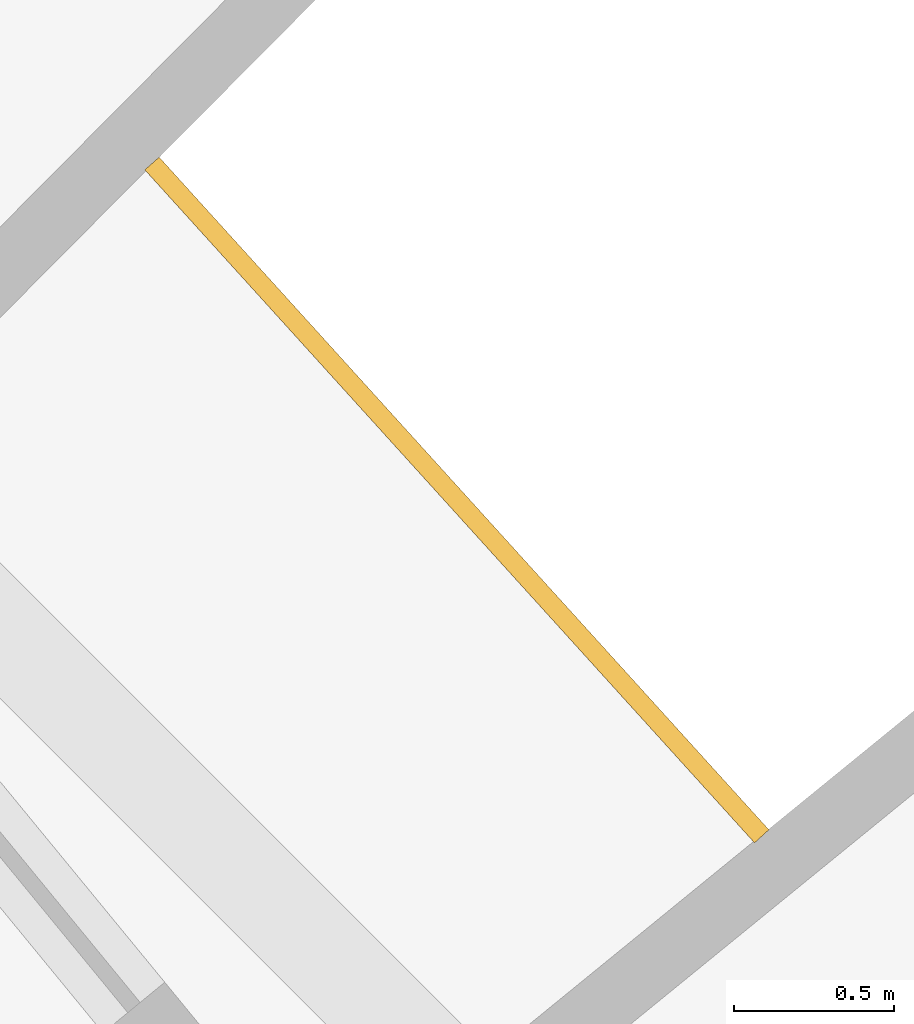
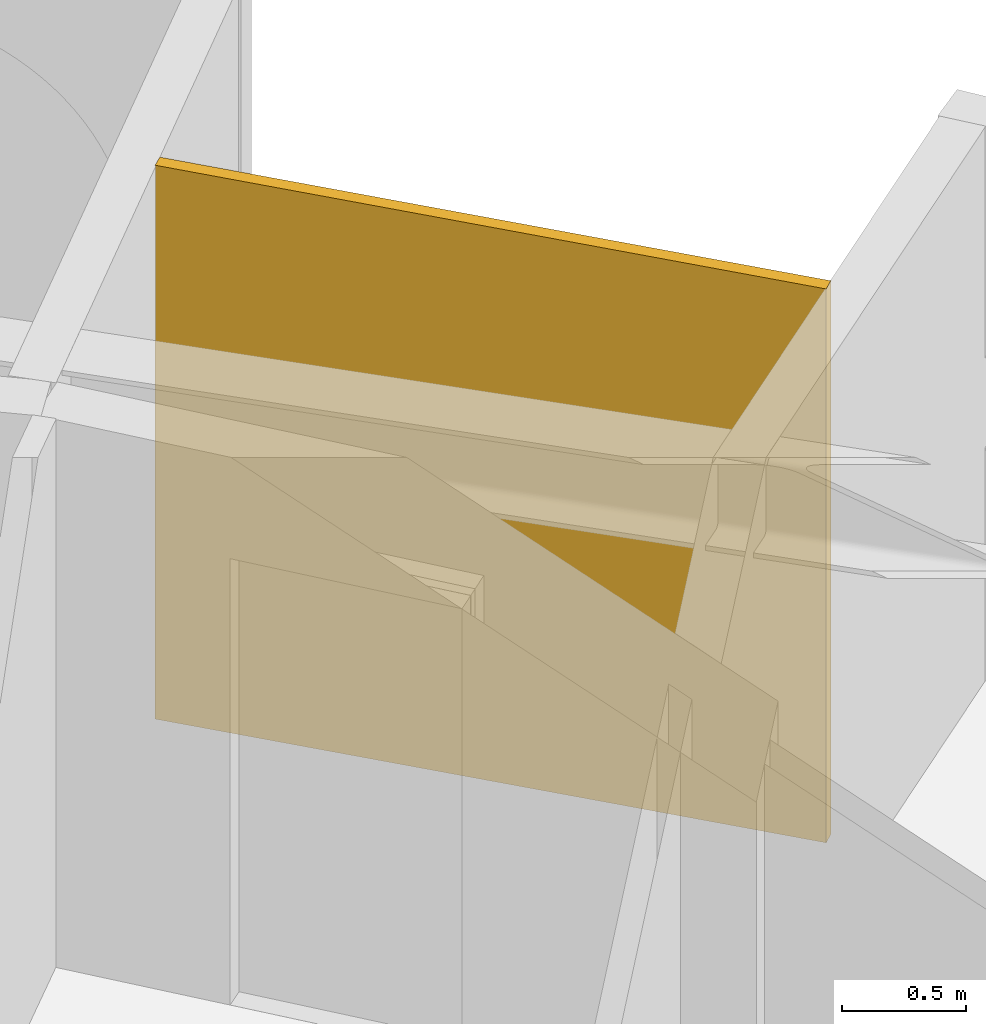
# One storey, part 27 of 27: 1 railing.
"""IFC4 building model written with IfcOpenShell, lengths in metres."""

import ifcopenshell
import ifcopenshell.guid

model = None  # the IFC model being written
_history = None  # IfcOwnerHistory: only IFC2X3 demands one
_inside = {}  # id of a spatial element -> (the spatial element, [elements in it])
_under = {}  # id of a project, library or spatial element -> (it, [spatial elements below it])
_declared = {}  # id of a project -> (the project, [libraries it declares])
_typed = {}  # id of a type object -> (the type object, [elements of that type])
_made_of = {}  # id of a material, layer set ... -> (it, [elements and type objects made of it])


def new_model(schema):
    """Start an empty IFC model of exactly this schema.

    Asked for "IFC4X3", IfcOpenShell would pick the latest addendum, in which some entities
    have other attributes; the version numbers below select the first issue.
    IFC2X3 requires an IfcOwnerHistory on every rooted entity: one is made here for all.
    """
    global model, _history
    if schema == "IFC4X3":
        model = ifcopenshell.file(schema_version=(4, 3, 0, 0))
    else:
        model = ifcopenshell.file(schema=schema)
    _inside.clear()
    _under.clear()
    _declared.clear()
    _typed.clear()
    _made_of.clear()
    _history = None
    if model.schema == "IFC2X3":
        org = make("IfcOrganization", Name="unknown")
        user = make(
            "IfcPersonAndOrganization",
            ThePerson=make("IfcPerson", FamilyName="unknown"),
            TheOrganization=org,
        )
        app = make(
            "IfcApplication",
            ApplicationDeveloper=org,
            Version="unknown",
            ApplicationFullName="unknown",
            ApplicationIdentifier="unknown",
        )
        _history = make(
            "IfcOwnerHistory",
            OwningUser=user,
            OwningApplication=app,
            ChangeAction="ADDED",
            CreationDate=0,
        )
    return model


def make(cls, **values):
    """One entity of the class cls with the attributes given. An attribute that is None is left unset."""
    return model.create_entity(
        cls, **{name: value for name, value in values.items() if value is not None}
    )


def rooted(cls, **values):
    """An entity with a GlobalId (a new one), such as an element, a storey or a relation."""
    return make(cls, GlobalId=ifcopenshell.guid.new(), OwnerHistory=_history, **values)


def si_unit(unit_type, name, prefix=None):
    """IfcSIUnit, for example si_unit("LENGTHUNIT", "METRE", prefix="MILLI")."""
    return make("IfcSIUnit", UnitType=unit_type, Prefix=prefix, Name=name)


def assignment(units):
    """IfcUnitAssignment: the units of a project."""
    return None if units is None else make("IfcUnitAssignment", Units=units)


def point(xyz):
    """IfcCartesianPoint."""
    return None if xyz is None else make("IfcCartesianPoint", Coordinates=xyz)


def direction(xyz):
    """IfcDirection."""
    return None if xyz is None else make("IfcDirection", DirectionRatios=xyz)


def frame(location, z_axis=None, x_axis=None):
    """IfcAxis2Placement3D, a coordinate frame: its origin and axes. An axis left out is left unset."""
    return make(
        "IfcAxis2Placement3D",
        Location=point(location),
        Axis=direction(z_axis),
        RefDirection=direction(x_axis),
    )


def origin():
    """The frame at (0, 0, 0) with its axes left unset."""
    return frame((0.0, 0.0, 0.0))


def place(relative_to, where):
    """IfcLocalPlacement: puts the frame where relative to a parent placement (None: the world)."""
    return make(
        "IfcLocalPlacement", PlacementRelTo=relative_to, RelativePlacement=where
    )


def context(
    kind, dimensions, precision=None, world=None, true_north=None, identifier=None
):
    """IfcGeometricRepresentationContext, for example the 3D "Model" context."""
    return make(
        "IfcGeometricRepresentationContext",
        ContextIdentifier=identifier,
        ContextType=kind,
        CoordinateSpaceDimension=dimensions,
        Precision=precision,
        WorldCoordinateSystem=world,
        TrueNorth=true_north,
    )


def subcontext(parent, identifier, kind, view, scale=None):
    """IfcGeometricRepresentationSubContext, for example "Body" below "Model"."""
    return make(
        "IfcGeometricRepresentationSubContext",
        ContextIdentifier=identifier,
        ContextType=kind,
        ParentContext=parent,
        TargetScale=scale,
        TargetView=view,
    )


def project(units=None, contexts=None):
    """IfcProject with its units and contexts."""
    return rooted(
        "IfcProject",
        Name="project",
        RepresentationContexts=contexts,
        UnitsInContext=assignment(units),
    )


def spatial(cls, under=None, at=None, **own):
    """A site, building, storey or space (cls), placed at a placement, below another one or the project."""
    s = rooted(cls, ObjectPlacement=at, **own)
    if under is not None:
        _under.setdefault(under.id(), (under, []))[1].append(s)
    return s


def polyline(points):
    """IfcPolyline through the points."""
    return make("IfcPolyline", Points=[point(p) for p in points])


def outline(outer, holes=None, kind="AREA"):
    """IfcArbitraryClosedProfileDef: a profile drawn as a closed curve; with holes, ...WithVoids."""
    if holes is None:
        return make("IfcArbitraryClosedProfileDef", ProfileType=kind, OuterCurve=outer)
    return make(
        "IfcArbitraryProfileDefWithVoids",
        ProfileType=kind,
        OuterCurve=outer,
        InnerCurves=holes,
    )


def extrude(swept, where, along, depth):
    """IfcExtrudedAreaSolid: the profile swept, set in the frame where, extruded along a direction by depth."""
    return make(
        "IfcExtrudedAreaSolid",
        SweptArea=swept,
        Position=where,
        ExtrudedDirection=direction(along),
        Depth=depth,
    )


def shape(context_of_items, identifier, shape_type, items):
    """IfcShapeRepresentation: the items that make up one representation, for example the "Body"."""
    return make(
        "IfcShapeRepresentation",
        ContextOfItems=context_of_items,
        RepresentationIdentifier=identifier,
        RepresentationType=shape_type,
        Items=items,
    )


def material(Name=None, Category=None):
    """IfcMaterial."""
    return make("IfcMaterial", Name=Name, Category=Category)


def layer(
    of_material, thickness, ventilated=None, Name=None, Category=None, Priority=None
):
    """IfcMaterialLayer: one layer of a wall or slab, of a material (None: an air gap)."""
    return make(
        "IfcMaterialLayer",
        Material=of_material,
        LayerThickness=thickness,
        IsVentilated=ventilated,
        Name=Name,
        Category=Category,
        Priority=Priority,
    )


def layer_set(layers, Name=None):
    """IfcMaterialLayerSet."""
    return make("IfcMaterialLayerSet", MaterialLayers=layers, LayerSetName=Name)


def made_of(thing, what):
    """Note that an element or type object is made of a material, layer set ...; save() writes the relation."""
    if what is not None:
        _made_of.setdefault(what.id(), (what, []))[1].append(thing)
    return thing


def type_object(cls, material=None, **own):
    """A type object (cls), such as IfcWallType, which elements share."""
    return made_of(rooted(cls, **own), material)


def element(
    cls,
    number,
    at=None,
    inside=None,
    cuts=None,
    type_object=None,
    material=None,
    context=None,
    identifier="Body",
    shape_type=None,
    held_by="IfcProductDefinitionShape",
    body=None,
    shapes=None,
    **own,
):
    """One element of the class cls, such as IfcWall. Its Tag is "e" and its number.

    at: its placement. inside: the storey or other place that contains it. cuts: it is an
    opening in that element (IfcRelVoidsElement). A single representation is given by context,
    identifier, shape_type and body (its items); several are given by shapes. held_by: the class
    of the entity that holds the representations. save() writes the other relations.
    """
    e = rooted(cls, Tag="e%d" % number, ObjectPlacement=at, **own)
    if body is not None:
        shapes = [shape(context, identifier, shape_type, body)]
    if shapes is not None:
        e.Representation = make(held_by, Representations=shapes)
    if inside is not None:
        _inside.setdefault(inside.id(), (inside, []))[1].append(e)
    if cuts is not None:
        rooted(
            "IfcRelVoidsElement", RelatingBuildingElement=cuts, RelatedOpeningElement=e
        )
    if type_object is not None:
        _typed.setdefault(type_object.id(), (type_object, []))[1].append(e)
    return made_of(e, material)


def aggregate(whole, parts):
    """IfcRelAggregates: a whole, such as a stair, and the parts it consists of."""
    return rooted("IfcRelAggregates", RelatingObject=whole, RelatedObjects=parts)


def save(model, path):
    """Write the relations noted so far, then the file.

    IfcRelAggregates (storeys below a building ...), IfcRelContainedInSpatialStructure (elements
    in a storey), IfcRelDefinesByType, IfcRelAssociatesMaterial and IfcRelDeclares: one each for
    every whole, place, type object, material and project.
    """
    for whole, parts in _under.values():
        aggregate(whole, parts)
    for where, things in _inside.values():
        rooted(
            "IfcRelContainedInSpatialStructure",
            RelatedElements=things,
            RelatingStructure=where,
        )
    for kind, things in _typed.values():
        rooted("IfcRelDefinesByType", RelatedObjects=things, RelatingType=kind)
    for what, things in _made_of.values():
        rooted("IfcRelAssociatesMaterial", RelatedObjects=things, RelatingMaterial=what)
    for by, libraries in _declared.values():
        rooted("IfcRelDeclares", RelatingContext=by, RelatedDefinitions=libraries)
    model.write(path)


model = new_model("IFC4")

# Units and contexts
model_context = context("Model", 3, precision=1e-05, world=origin(), true_north=direction((0.0, 1.0)))
body_context = subcontext(model_context, "Body", "Model", "MODEL_VIEW")
ifc_project = project(units=[si_unit("LENGTHUNIT", "METRE"), si_unit("AREAUNIT", "SQUARE_METRE"), si_unit("VOLUMEUNIT", "CUBIC_METRE"), si_unit("PLANEANGLEUNIT", "RADIAN"), si_unit("MASSUNIT", "GRAM", prefix="KILO")], contexts=[model_context])

# Site, building, storey
site_placement = place(None, origin())
site = spatial("IfcSite", under=ifc_project, at=site_placement, CompositionType="ELEMENT")
building_placement = place(site_placement, origin())
building = spatial("IfcBuilding", under=site, at=building_placement, Name="Maasbend Ring Residences", CompositionType="ELEMENT")
storey_placement = place(building_placement, frame((0.0, 0.0, 164.64990234375)))
storey = spatial("IfcBuildingStorey", under=building, at=storey_placement, Name="L47", CompositionType="ELEMENT", Elevation=164.64990234375)

# Railing
ifc_material = material(Name="Pale anodised perforated aluminium", Category="aluminium")
ifc_layer = layer(ifc_material, 0.06005859375)
ifc_layer_set = layer_set([ifc_layer], Name="SCREEN-P")
railing_type = type_object("IfcRailingType", Name="SCREEN-P", PredefinedType="GUARDRAIL", material=ifc_layer_set)
railing_placement = place(storey_placement, frame((0.0, 0.0, -0.02978515625)))
element("IfcRailing", 1, at=railing_placement, inside=storey, type_object=railing_type, Name="Perforated screen guard 1", PredefinedType="GUARDRAIL", context=body_context, shape_type="SweptSolid", body=[
    extrude(outline(polyline([(22.4169921875, 18.39697265625), (20.506103515625, 20.506103515625), (20.551025390625, 20.5458984375), (22.4619140625, 18.43798828125), (22.4169921875, 18.39697265625)])), origin(), (0.0, 0.0, 1.0), 2.72998046875),
])

save(model, "model.ifc")
